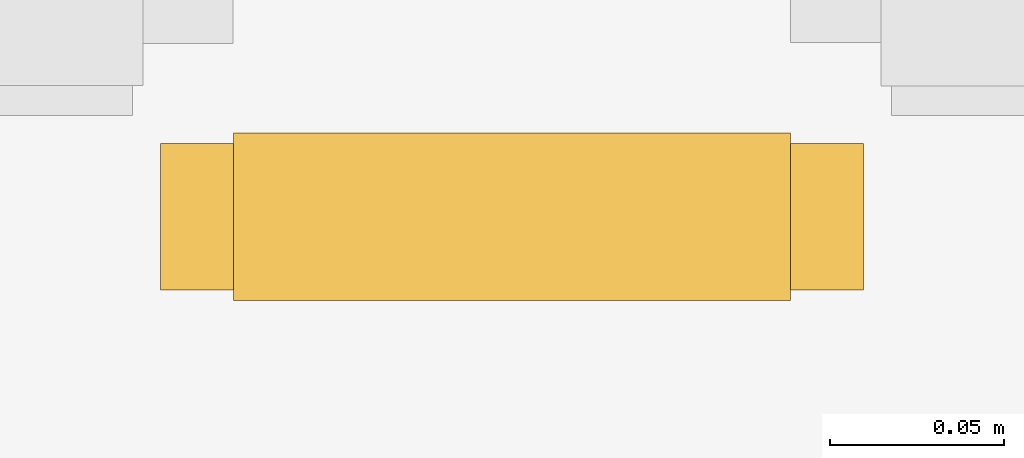
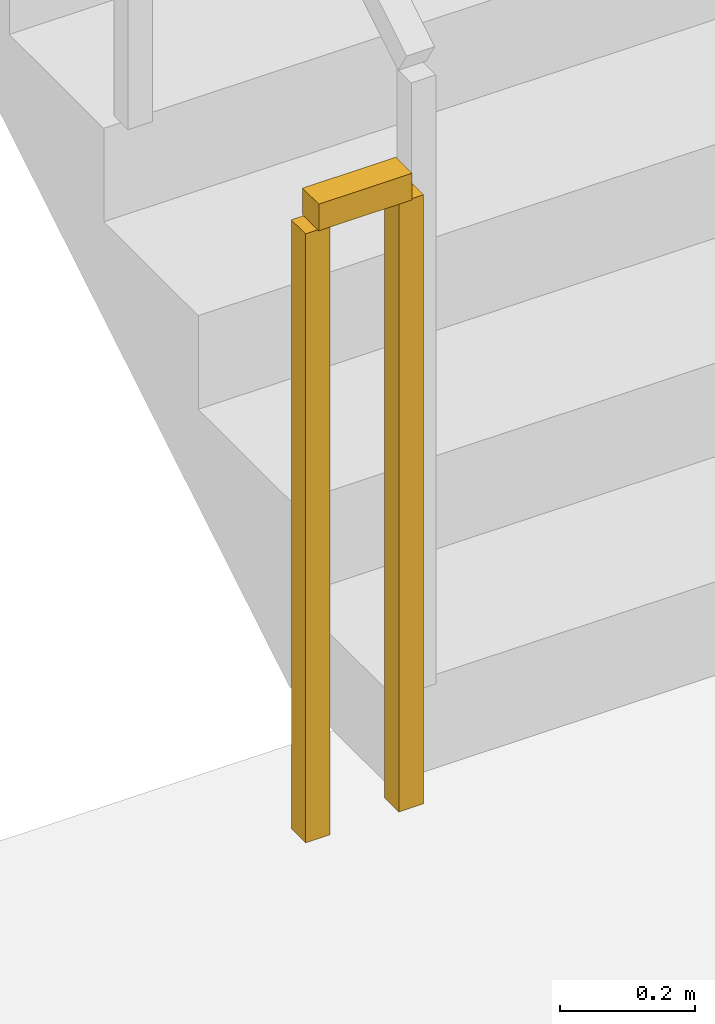
# One storey, part 10 of 14: 1 railing.
"""IFC4 building model written with IfcOpenShell, lengths in metres."""

from ifc_helpers import new_model, si_unit, direction, frame, origin, origin_2d, place, context, subcontext, project, spatial, rectangle, extrude, material, type_object, element, save


model = new_model("IFC4")

# Units and contexts
model_context = context("Model", 3, precision=1e-05, world=origin(), true_north=direction((0.0, 1.0)))
body_context = subcontext(model_context, "Body", "Model", "MODEL_VIEW")
ifc_project = project(units=[si_unit("LENGTHUNIT", "METRE"), si_unit("AREAUNIT", "SQUARE_METRE"), si_unit("VOLUMEUNIT", "CUBIC_METRE"), si_unit("PLANEANGLEUNIT", "RADIAN"), si_unit("MASSUNIT", "GRAM", prefix="KILO")], contexts=[model_context])

# Site, building, storey
site_placement = place(None, origin())
site = spatial("IfcSite", under=ifc_project, at=site_placement, CompositionType="ELEMENT")
building_placement = place(site_placement, origin())
building = spatial("IfcBuilding", under=site, at=building_placement, Name="Zarnakvel Exchange Tower", CompositionType="ELEMENT")
storey_placement = place(building_placement, frame((0.0, 0.0, -4.39990234375)))
storey = spatial("IfcBuildingStorey", under=building, at=storey_placement, Name="B01", CompositionType="ELEMENT", Elevation=-4.39990234375)

# Railing
ifc_material = material(Name="Architectural Bronze Anodised Aluminium", Category="aluminium")
railing_type = type_object("IfcRailingType", Name="SG-01", PredefinedType="GUARDRAIL", material=ifc_material)
railing_placement = place(storey_placement, frame((12.25, 5.0, 0.0)))
element("IfcRailing", 1, at=railing_placement, inside=storey, type_object=railing_type, Name="B01 ST-02 stair guard 4", PredefinedType="GUARDRAIL", context=body_context, shape_type="SweptSolid", body=[
    extrude(rectangle(XDim=0.048095703125, YDim=0.048095703125, at=origin_2d()), frame((0.0, 0.0, 1.1259765625), z_axis=(-1.0, 0.0, 0.0), x_axis=(0.0, -1.0, 0.0)), (0.0, 0.0, 1.0), 0.159912109375),
    extrude(rectangle(XDim=0.0419921875, YDim=0.0419921875, at=origin_2d()), origin(), (0.0, 0.0, 1.0), 1.101806640625),
    extrude(rectangle(XDim=0.0419921875, YDim=0.0419921875, at=origin_2d()), frame((-0.159912109375, 0.0, 0.0)), (0.0, 0.0, 1.0), 1.101806640625),
])

save(model, "model.ifc")
